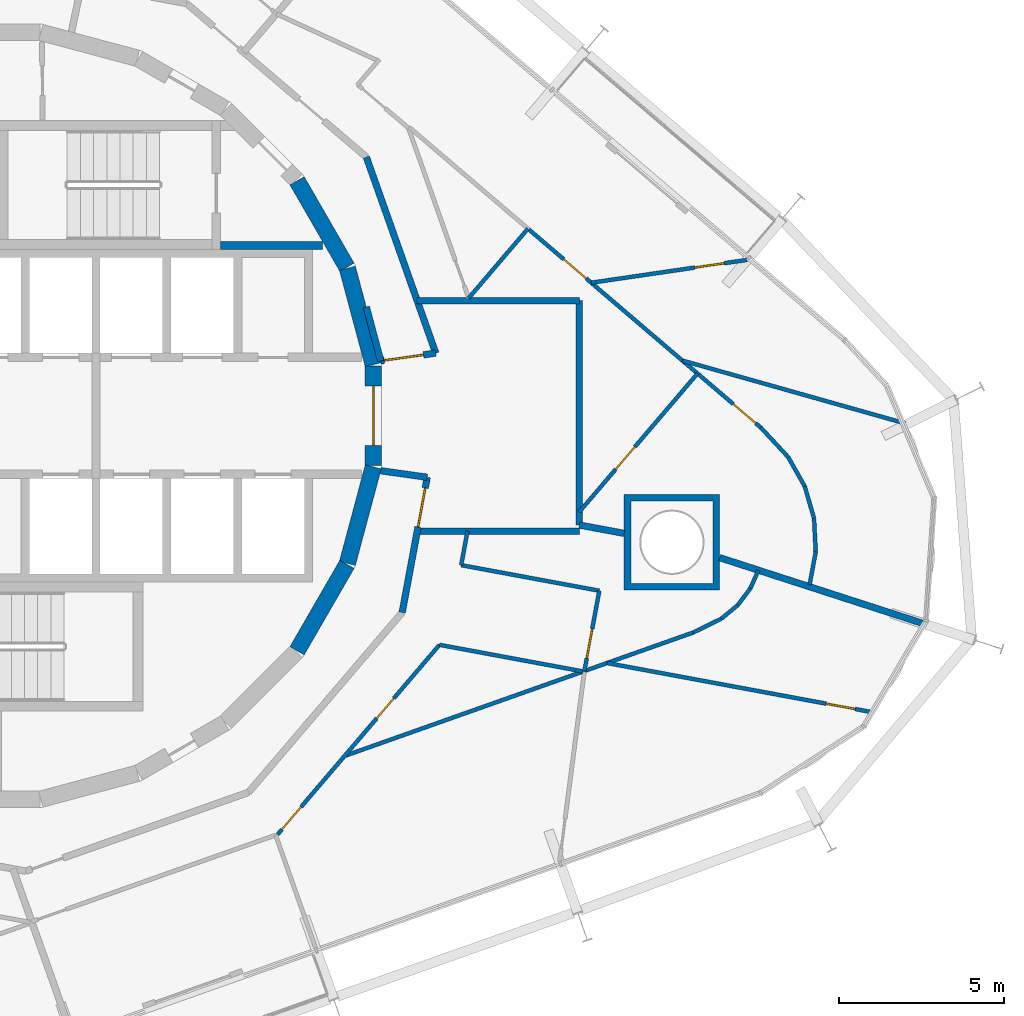
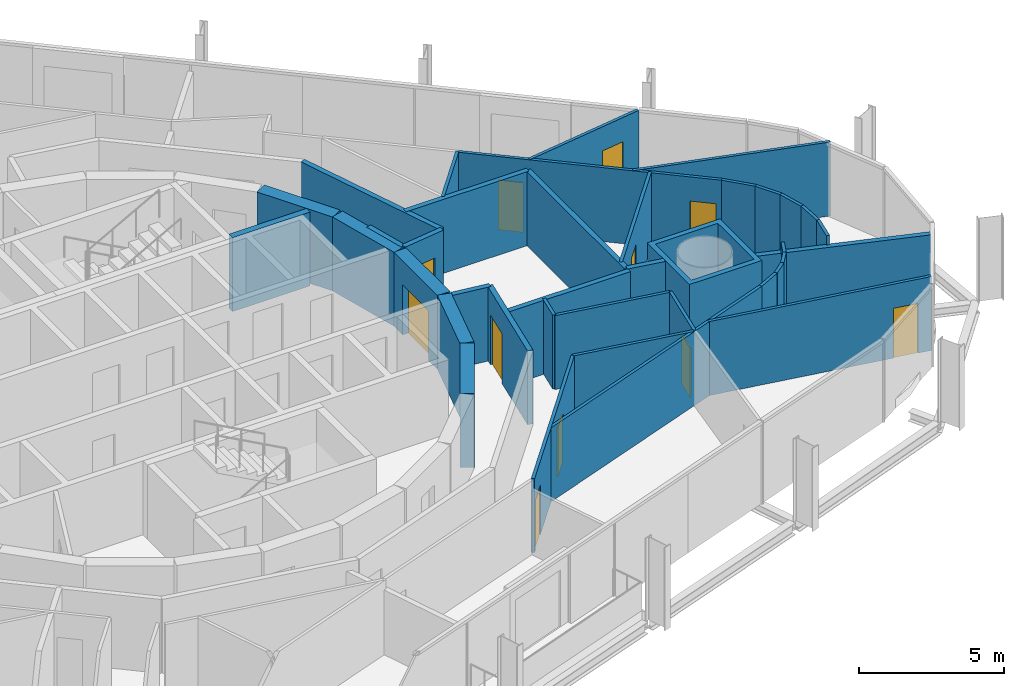
# One storey, part 13 of 17: 38 walls, 11 doors, 11 openings.
"""IFC4 building model written with IfcOpenShell, lengths in metres."""

from ifc_helpers import new_model, si_unit, direction, frame, frame_2d, origin, place, context, subcontext, project, spatial, polyline, rectangle, outline, extrude, material, layer, layer_set, type_object, element, fill, save


model = new_model("IFC4")

# Units and contexts
model_context = context("Model", 3, precision=1e-05, world=origin(), true_north=direction((0.0, 1.0)))
body_context = subcontext(model_context, "Body", "Model", "MODEL_VIEW")
ifc_project = project(units=[si_unit("LENGTHUNIT", "METRE"), si_unit("AREAUNIT", "SQUARE_METRE"), si_unit("VOLUMEUNIT", "CUBIC_METRE"), si_unit("PLANEANGLEUNIT", "RADIAN"), si_unit("MASSUNIT", "GRAM", prefix="KILO")], contexts=[model_context])

# Site, building, storey
site_placement = place(None, origin())
site = spatial("IfcSite", under=ifc_project, at=site_placement, CompositionType="ELEMENT")
building_placement = place(site_placement, origin())
building = spatial("IfcBuilding", under=site, at=building_placement, Name="Spindle Arch Residences", CompositionType="ELEMENT")
storey_placement = place(building_placement, frame((0.0, 0.0, 176.199951171875)))
storey = spatial("IfcBuildingStorey", under=building, at=storey_placement, Name="L44", CompositionType="ELEMENT", Elevation=176.199951171875)

# Walls
ifc_material_1 = material(Name="Concrete C50/60", Category="concrete")
ifc_layer_1 = layer(ifc_material_1, 0.5)
ifc_layer_set_1 = layer_set([ifc_layer_1], Name="Core outline wall 500")
wall_type_1 = type_object("IfcWallType", Name="Core outline wall 500", PredefinedType="SHEAR", material=ifc_layer_set_1)
for number, where, z_axis, x_axis, name in (
    (1, (9.32861328125, -7.13671875, 0.0), (0.0, 0.0, 1.0), (0.500087131594, 0.865975092491, 0.0), "Core outline wall 4"),
    (2, (10.858154296875, -4.479248046875, 0.0), (0.0, 0.0, 1.0), (0.258734743916, 0.965948410781, 0.0), "Core outline wall 5"),
):
    element("IfcWall", number, at=place(storey_placement, frame(where, z_axis=z_axis, x_axis=x_axis)), inside=storey, type_object=wall_type_1, Name=name, PredefinedType="SHEAR", context=body_context, shape_type="SweptSolid", body=[
        extrude(rectangle(XDim=3.03271484375, YDim=0.5, at=frame_2d((1.516357421875, 0.0))), origin(), (0.0, 0.0, 1.0), 3.1201171875),
    ])

# Wall, opening, door
wall_1_placement = place(storey_placement, frame((11.647216796875, -1.516357421875, 0.0), z_axis=(0.0, 0.0, 1.0), x_axis=(0.0, 1.0, 0.0)))
wall_1 = element("IfcWall", 3, at=wall_1_placement, inside=storey, type_object=wall_type_1, Name="Core outline wall 6", PredefinedType="SHEAR", context=body_context, shape_type="SweptSolid", body=[
    extrude(rectangle(XDim=3.03271484375, YDim=0.5, at=frame_2d((1.516357421875, 0.0))), origin(), (0.0, 0.0, 1.0), 3.1201171875),
])
opening_1_placement = place(wall_1_placement, frame((0.6162109375, 0.0, 0.0)))
opening_1 = element("IfcOpeningElement", 4, at=opening_1_placement, cuts=wall_1, Name="Opening R4C1-FE01", PredefinedType="OPENING", context=body_context, shape_type="SweptSolid", body=[
    extrude(rectangle(XDim=1.800048828125, YDim=2.10009765625, at=frame_2d((0.89990234375, 1.050048828125))), frame((0.0, 0.260009765625, 0.0), z_axis=(0.0, -1.0, 0.0), x_axis=(1.0, 0.0, 0.0)), (0.0, 0.0, 1.0), 0.52001953125),
])
ifc_material_2 = material(Name="Steel, fire-resisting door", Category="steel")
door_type_1 = type_object("IfcDoorType", Name="Fire-lift lobby door 1800x2100", OperationType="DOUBLE_DOOR_SINGLE_SWING", PredefinedType="DOOR", material=ifc_material_2)
door_1_placement = place(opening_1_placement, origin())
door_1 = element("IfcDoor", 5, at=door_1_placement, inside=storey, type_object=door_type_1, Name="Fire-lift lobby door R4C1-FE01", OperationType="DOUBLE_DOOR_SINGLE_SWING", OverallHeight=2.10009765625, OverallWidth=1.800048828125, PredefinedType="DOOR", context=body_context, shape_type="SweptSolid", body=[
    extrude(rectangle(XDim=1.800048828125, YDim=2.10009765625, at=frame_2d((0.89990234375, 1.050048828125))), frame((0.0, 0.02490234375, 0.0), z_axis=(0.0, -1.0, 0.0), x_axis=(1.0, 0.0, 0.0)), (0.0, 0.0, 1.0), 0.050048828125),
])
fill(opening_1, door_1)

# Walls
for number, where, z_axis, x_axis, name in (
    (6, (11.642822265625, 1.5498046875, 0.0), (0.0, 0.0, 1.0), (-0.258734743916, 0.965948410781, 0.0), "Core outline wall 7"),
    (7, (10.84521484375, 4.510498046875, 0.0), (0.0, 0.0, 1.0), (-0.500087131594, 0.865975092491, 0.0), "Core outline wall 8"),
):
    element("IfcWall", number, at=place(storey_placement, frame(where, z_axis=z_axis, x_axis=x_axis)), inside=storey, type_object=wall_type_1, Name=name, PredefinedType="SHEAR", context=body_context, shape_type="SweptSolid", body=[
        extrude(rectangle(XDim=3.03271484375, YDim=0.5, at=frame_2d((1.516357421875, 0.0))), origin(), (0.0, 0.0, 1.0), 3.1201171875),
    ])
ifc_material_3 = material(Name="Calcium silicate block, plastered")
ifc_layer_2 = layer(ifc_material_3, 0.199951171875)
ifc_layer_set_2 = layer_set([ifc_layer_2], Name="Fire-lift lobby bay wall 200")
wall_type_2 = type_object("IfcWallType", Name="Fire-lift lobby bay wall 200", PredefinedType="STANDARD", material=ifc_layer_set_2)
wall_2_placement = place(storey_placement, frame((11.8701171875, 1.668212890625, 0.0), z_axis=(0.0, 0.0, 1.0), x_axis=(-0.258836880648, 0.965921047093, 0.0)))
element("IfcWall", 8, at=wall_2_placement, inside=storey, type_object=wall_type_2, Name="Fire-lift lobby bay wall R4C1-W001", PredefinedType="STANDARD", context=body_context, shape_type="SweptSolid", body=[
    extrude(rectangle(XDim=1.695068359375, YDim=0.199951171875, at=frame_2d((0.84765625, 0.0))), origin(), (0.0, 0.0, 1.0), 3.1201171875),
])

# Wall, opening, door
wall_3_placement = place(storey_placement, frame((11.8701171875, 1.668212890625, 0.0), z_axis=(0.0, 0.0, 1.0), x_axis=(0.990270910415, 0.139152879904, 0.0)))
wall_3 = element("IfcWall", 9, at=wall_3_placement, inside=storey, type_object=wall_type_2, Name="Fire-lift lobby bay wall R4C1-W002", PredefinedType="STANDARD", context=body_context, shape_type="SweptSolid", body=[
    extrude(rectangle(XDim=1.687744140625, YDim=0.199951171875, at=frame_2d((0.84375, 0.0))), origin(), (0.0, 0.0, 1.0), 3.1201171875),
])
opening_2_placement = place(wall_3_placement, frame((0.110107421875, 0.0, 0.0)))
opening_2 = element("IfcOpeningElement", 10, at=opening_2_placement, cuts=wall_3, Name="Opening R4C1-CD01", PredefinedType="OPENING", context=body_context, shape_type="SweptSolid", body=[
    extrude(rectangle(XDim=1.199951171875, YDim=2.10009765625, at=frame_2d((0.60009765625, 1.050048828125))), frame((0.0, 0.10986328125, 0.0), z_axis=(0.0, -1.0, 0.0), x_axis=(1.0, 0.0, 0.0)), (0.0, 0.0, 1.0), 0.219970703125),
])
ifc_material_4 = material(Name="Steel, fire-resisting door", Category="steel")
door_type_2 = type_object("IfcDoorType", Name="Corridor division door 1200x2100", OperationType="NOTDEFINED", PredefinedType="DOOR", material=ifc_material_4)
door_2_placement = place(opening_2_placement, origin())
door_2 = element("IfcDoor", 11, at=door_2_placement, inside=storey, type_object=door_type_2, Name="Corridor division door R4C1-CD01", OperationType="DOUBLE_DOOR_SINGLE_SWING", OverallHeight=2.10009765625, OverallWidth=1.199951171875, PredefinedType="DOOR", context=body_context, shape_type="SweptSolid", body=[
    extrude(rectangle(XDim=1.199951171875, YDim=2.10009765625, at=frame_2d((0.60009765625, 1.050048828125))), frame((0.0, 0.02490234375, 0.0), z_axis=(0.0, -1.0, 0.0), x_axis=(1.0, 0.0, 0.0)), (0.0, 0.0, 1.0), 0.050048828125),
])
fill(opening_2, door_2)

# Wall
wall_4_placement = place(storey_placement, frame((13.54150390625, 1.903076171875, 0.0), z_axis=(0.0, 0.0, 1.0), x_axis=(-0.333808508206, 0.942640907159, 0.0)))
element("IfcWall", 12, at=wall_4_placement, inside=storey, type_object=wall_type_2, Name="Fire-lift lobby bay wall R4C1-W003", PredefinedType="STANDARD", context=body_context, shape_type="SweptSolid", body=[
    extrude(rectangle(XDim=6.31689453125, YDim=0.199951171875, at=frame_2d((3.158447265625, 0.0))), origin(), (0.0, 0.0, 1.0), 3.1201171875),
])

# Wall, opening, door
wall_5_placement = place(storey_placement, frame((12.521240234375, -5.972412109375, 0.0), z_axis=(0.0, 0.0, 1.0), x_axis=(0.182244189886, 0.983253301674, 0.0)))
wall_5 = element("IfcWall", 13, at=wall_5_placement, inside=storey, type_object=wall_type_2, Name="Fire-lift lobby bay wall R4C1-W012", PredefinedType="STANDARD", context=body_context, shape_type="SweptSolid", body=[
    extrude(rectangle(XDim=4.175537109375, YDim=0.199951171875, at=frame_2d((2.087890625, 0.0))), origin(), (0.0, 0.0, 1.0), 3.1201171875),
])
opening_3_placement = place(wall_5_placement, frame((2.64453125, 0.0, 0.0)))
opening_3 = element("IfcOpeningElement", 14, at=opening_3_placement, cuts=wall_5, Name="Opening R4C1-CD02", PredefinedType="OPENING", context=body_context, shape_type="SweptSolid", body=[
    extrude(rectangle(XDim=1.199951171875, YDim=2.10009765625, at=frame_2d((0.60009765625, 1.050048828125))), frame((0.0, 0.10986328125, 0.0), z_axis=(0.0, -1.0, 0.0), x_axis=(1.0, 0.0, 0.0)), (0.0, 0.0, 1.0), 0.219970703125),
])
door_3_placement = place(opening_3_placement, origin())
door_3 = element("IfcDoor", 15, at=door_3_placement, inside=storey, type_object=door_type_2, Name="Corridor division door R4C1-CD02", OperationType="DOUBLE_DOOR_SINGLE_SWING", OverallHeight=2.10009765625, OverallWidth=1.199951171875, PredefinedType="DOOR", context=body_context, shape_type="SweptSolid", body=[
    extrude(rectangle(XDim=1.199951171875, YDim=2.10009765625, at=frame_2d((0.60009765625, 1.050048828125))), frame((0.0, 0.02490234375, 0.0), z_axis=(0.0, -1.0, 0.0), x_axis=(1.0, 0.0, 0.0)), (0.0, 0.0, 1.0), 0.050048828125),
])
fill(opening_3, door_3)

# Walls
wall_6_placement = place(storey_placement, frame((13.2822265625, -1.86669921875, 0.0), z_axis=(0.0, 0.0, 1.0), x_axis=(-0.990265430288, 0.139191873241, 0.0)))
element("IfcWall", 16, at=wall_6_placement, inside=storey, type_object=wall_type_2, Name="Fire-lift lobby bay wall R4C1-W013", PredefinedType="STANDARD", context=body_context, shape_type="SweptSolid", body=[
    extrude(rectangle(XDim=1.426025390625, YDim=0.199951171875, at=frame_2d((0.712890625, 0.0))), origin(), (0.0, 0.0, 1.0), 3.1201171875),
])
wall_7_placement = place(storey_placement, frame((17.89990234375, 3.5, 0.0), z_axis=(0.0, 0.0, 1.0), x_axis=(-1.0, 0.0, 0.0)))
element("IfcWall", 17, at=wall_7_placement, inside=storey, type_object=wall_type_2, Name="Fire-lift lobby bay wall R4C1-W023", PredefinedType="STANDARD", context=body_context, shape_type="SweptSolid", body=[
    extrude(rectangle(XDim=4.923828125, YDim=0.199951171875, at=frame_2d((2.4619140625, 0.0))), origin(), (0.0, 0.0, 1.0), 3.1201171875),
])
wall_8_placement = place(storey_placement, frame((17.89990234375, -3.317626953125, 0.0), z_axis=(0.0, 0.0, 1.0), x_axis=(0.0, 1.0, 0.0)))
element("IfcWall", 18, at=wall_8_placement, inside=storey, type_object=wall_type_2, Name="Fire-lift lobby bay wall R4C1-W024", PredefinedType="STANDARD", context=body_context, shape_type="SweptSolid", body=[
    extrude(rectangle(XDim=6.817626953125, YDim=0.199951171875, at=frame_2d((3.40869140625, 0.0))), origin(), (0.0, 0.0, 1.0), 3.1201171875),
])
wall_9_placement = place(storey_placement, frame((12.9794921875, -3.5, 0.0), z_axis=(0.0, 0.0, 1.0), x_axis=(1.0, 0.0, 0.0)))
element("IfcWall", 19, at=wall_9_placement, inside=storey, type_object=wall_type_2, Name="Fire-lift lobby bay wall R4C1-W025", PredefinedType="STANDARD", context=body_context, shape_type="SweptSolid", body=[
    extrude(rectangle(XDim=4.92041015625, YDim=0.199951171875, at=frame_2d((2.460205078125, 0.0))), origin(), (0.0, 0.0, 1.0), 3.1201171875),
])

# Wall, openings, doors
ifc_material_5 = material(Name="Plasterboard on steel studs", Category="steel")
ifc_layer_3 = layer(ifc_material_5, 0.1201171875)
ifc_layer_set_3 = layer_set([ifc_layer_3], Name="Flat partition 120")
wall_type_3 = type_object("IfcWallType", Name="Flat partition 120", PredefinedType="PARTITIONING", material=ifc_layer_set_3)
wall_10_placement = place(storey_placement, frame((23.411376953125, -0.35693359375, 0.0), z_axis=(0.0, 0.0, 1.0), x_axis=(-0.76041871148, 0.649433124525, 0.0)))
wall_10 = element("IfcWall", 20, at=wall_10_placement, inside=storey, type_object=wall_type_3, Name="Flat partition R4C1-W042", PredefinedType="PARTITIONING", context=body_context, shape_type="SweptSolid", body=[
    extrude(rectangle(XDim=9.2587890625, YDim=0.1201171875, at=frame_2d((4.62939453125, 0.0))), origin(), (0.0, 0.0, 1.0), 3.1201171875),
])
opening_4_placement = place(wall_10_placement, frame((6.971923828125, 0.0, 0.0)))
opening_4 = element("IfcOpeningElement", 21, at=opening_4_placement, cuts=wall_10, Name="Opening R4C1-ID02", PredefinedType="OPENING", context=body_context, shape_type="SweptSolid", body=[
    extrude(rectangle(XDim=0.89990234375, YDim=2.10009765625, at=frame_2d((0.449951171875, 1.050048828125))), frame((0.0, 0.070068359375, 0.0), z_axis=(0.0, -1.0, 0.0), x_axis=(1.0, 0.0, 0.0)), (0.0, 0.0, 1.0), 0.14013671875),
])
opening_5_placement = place(wall_10_placement, frame((0.199951171875, 0.0, 0.0)))
opening_5 = element("IfcOpeningElement", 22, at=opening_5_placement, cuts=wall_10, Name="Opening R4C1-ID05", PredefinedType="OPENING", context=body_context, shape_type="SweptSolid", body=[
    extrude(rectangle(XDim=0.89990234375, YDim=2.10009765625, at=frame_2d((0.449951171875, 1.050048828125))), frame((0.0, 0.070068359375, 0.0), z_axis=(0.0, -1.0, 0.0), x_axis=(1.0, 0.0, 0.0)), (0.0, 0.0, 1.0), 0.14013671875),
])
ifc_material_6 = material(Name="Timber door set", Category="wood")
door_type_3 = type_object("IfcDoorType", Name="Room door 900x2100", OperationType="NOTDEFINED", PredefinedType="DOOR", material=ifc_material_6)
door_4_placement = place(opening_4_placement, origin())
door_4 = element("IfcDoor", 23, at=door_4_placement, inside=storey, type_object=door_type_3, Name="Room door R4C1-ID02", OperationType="SINGLE_SWING_RIGHT", OverallHeight=2.10009765625, OverallWidth=0.89990234375, PredefinedType="DOOR", context=body_context, shape_type="SweptSolid", body=[
    extrude(rectangle(XDim=0.89990234375, YDim=2.10009765625, at=frame_2d((0.449951171875, 1.050048828125))), frame((0.0, 0.02490234375, 0.0), z_axis=(0.0, -1.0, 0.0), x_axis=(1.0, 0.0, 0.0)), (0.0, 0.0, 1.0), 0.050048828125),
])
fill(opening_4, door_4)
door_5_placement = place(opening_5_placement, origin())
door_5 = element("IfcDoor", 24, at=door_5_placement, inside=storey, type_object=door_type_3, Name="Room door R4C1-ID05", OperationType="SINGLE_SWING_LEFT", OverallHeight=2.10009765625, OverallWidth=0.89990234375, PredefinedType="DOOR", context=body_context, shape_type="SweptSolid", body=[
    extrude(rectangle(XDim=0.89990234375, YDim=2.10009765625, at=frame_2d((0.449951171875, 1.050048828125))), frame((0.0, 0.02490234375, 0.0), z_axis=(0.0, -1.0, 0.0), x_axis=(1.0, 0.0, 0.0)), (0.0, 0.0, 1.0), 0.050048828125),
])
fill(opening_5, door_5)

# Wall
wall_11_placement = place(storey_placement, frame((16.340576171875, 5.681884765625, 0.0), z_axis=(0.0, 0.0, 1.0), x_axis=(-0.64946993237, -0.76038727432, 0.0)))
element("IfcWall", 25, at=wall_11_placement, inside=storey, type_object=wall_type_3, Name="Flat partition R4C1-W043", PredefinedType="PARTITIONING", context=body_context, shape_type="SweptSolid", body=[
    extrude(rectangle(XDim=2.771240234375, YDim=0.1201171875, at=frame_2d((1.3857421875, 0.0))), origin(), (0.0, 0.0, 1.0), 3.1201171875),
])

# Wall, opening, door
wall_12_placement = place(storey_placement, frame((17.89990234375, -2.91845703125, 0.0), z_axis=(0.0, 0.0, 1.0), x_axis=(0.649469887983, 0.760387312232, 0.0)))
wall_12 = element("IfcWall", 26, at=wall_12_placement, inside=storey, type_object=wall_type_3, Name="Flat partition R4C1-W044", PredefinedType="PARTITIONING", context=body_context, shape_type="SweptSolid", body=[
    extrude(rectangle(XDim=5.52685546875, YDim=0.1201171875, at=frame_2d((2.763427734375, 0.0))), origin(), (0.0, 0.0, 1.0), 3.1201171875),
])
opening_6_placement = place(wall_12_placement, frame((1.699951171875, 0.0, 0.0)))
opening_6 = element("IfcOpeningElement", 27, at=opening_6_placement, cuts=wall_12, Name="Opening R4C1-ID04", PredefinedType="OPENING", context=body_context, shape_type="SweptSolid", body=[
    extrude(rectangle(XDim=0.89990234375, YDim=2.10009765625, at=frame_2d((0.449951171875, 1.050048828125))), frame((0.0, 0.070068359375, 0.0), z_axis=(0.0, -1.0, 0.0), x_axis=(1.0, 0.0, 0.0)), (0.0, 0.0, 1.0), 0.14013671875),
])
door_6_placement = place(opening_6_placement, origin())
door_6 = element("IfcDoor", 28, at=door_6_placement, inside=storey, type_object=door_type_3, Name="Room door R4C1-ID04", OperationType="SINGLE_SWING_LEFT", OverallHeight=2.10009765625, OverallWidth=0.89990234375, PredefinedType="DOOR", context=body_context, shape_type="SweptSolid", body=[
    extrude(rectangle(XDim=0.89990234375, YDim=2.10009765625, at=frame_2d((0.449951171875, 1.050048828125))), frame((0.0, 0.02490234375, 0.0), z_axis=(0.0, -1.0, 0.0), x_axis=(1.0, 0.0, 0.0)), (0.0, 0.0, 1.0), 0.050048828125),
])
fill(opening_6, door_6)

wall_13_placement = place(storey_placement, frame((22.99365234375, 4.73388671875, 0.0), z_axis=(0.0, 0.0, 1.0), x_axis=(-0.989449286977, -0.144879634529, 0.0)))
wall_13 = element("IfcWall", 29, at=wall_13_placement, inside=storey, type_object=wall_type_3, Name="Flat partition R4C1-W045", PredefinedType="PARTITIONING", context=body_context, shape_type="SweptSolid", body=[
    extrude(rectangle(XDim=4.782470703125, YDim=0.1201171875, at=frame_2d((2.39111328125, 0.0))), origin(), (0.0, 0.0, 1.0), 3.1201171875),
])
opening_7_placement = place(wall_13_placement, frame((0.699951171875, 0.0, 0.0)))
opening_7 = element("IfcOpeningElement", 30, at=opening_7_placement, cuts=wall_13, Name="Opening R4C1-ID03", PredefinedType="OPENING", context=body_context, shape_type="SweptSolid", body=[
    extrude(rectangle(XDim=0.89990234375, YDim=2.10009765625, at=frame_2d((0.449951171875, 1.050048828125))), frame((0.0, 0.070068359375, 0.0), z_axis=(0.0, -1.0, 0.0), x_axis=(1.0, 0.0, 0.0)), (0.0, 0.0, 1.0), 0.14013671875),
])
door_7_placement = place(opening_7_placement, origin())
door_7 = element("IfcDoor", 31, at=door_7_placement, inside=storey, type_object=door_type_3, Name="Room door R4C1-ID03", OperationType="SINGLE_SWING_LEFT", OverallHeight=2.10009765625, OverallWidth=0.89990234375, PredefinedType="DOOR", context=body_context, shape_type="SweptSolid", body=[
    extrude(rectangle(XDim=0.89990234375, YDim=2.10009765625, at=frame_2d((0.449951171875, 1.050048828125))), frame((0.0, 0.02490234375, 0.0), z_axis=(0.0, -1.0, 0.0), x_axis=(1.0, 0.0, 0.0)), (0.0, 0.0, 1.0), 0.050048828125),
])
fill(opening_7, door_7)

# Walls
wall_14_placement = place(storey_placement, frame((21.029052734375, 1.677490234375, 0.0), z_axis=(0.0, 0.0, 1.0), x_axis=(0.962458274539, -0.271429677396, 0.0)))
element("IfcWall", 32, at=wall_14_placement, inside=storey, type_object=wall_type_3, Name="Flat partition R4C1-W046", PredefinedType="PARTITIONING", context=body_context, shape_type="SweptSolid", body=[
    extrude(rectangle(XDim=7.037353515625, YDim=0.1201171875, at=frame_2d((3.5185546875, 0.0))), origin(), (0.0, 0.0, 1.0), 3.1201171875),
])
for number, where, z_axis, x_axis, name in (
    (33, (24.893798828125, -5.130615234375, 0.0), (0.0, 0.0, 1.0), (0.182140887528, 0.983272442963, 0.0), "Flat partition R4C1-W047"),
    (34, (25.078857421875, -4.131591796875, 0.0), (0.0, 0.0, 1.0), (-0.049494233422, 0.998774409393, 0.0), "Flat partition R4C1-W048"),
):
    element("IfcWall", number, at=place(storey_placement, frame(where, z_axis=z_axis, x_axis=x_axis)), inside=storey, type_object=wall_type_3, Name=name, PredefinedType="PARTITIONING", context=body_context, shape_type="SweptSolid", body=[
        extrude(rectangle(XDim=1.01611328125, YDim=0.1201171875, at=frame_2d((0.508056640625, 0.0))), origin(), (0.0, 0.0, 1.0), 3.1201171875),
    ])
for number, where, z_axis, x_axis, name in (
    (35, (25.028564453125, -3.11669921875, 0.0), (0.0, 0.0, 1.0), (-0.278559922069, 0.96041885124, 0.0), "Flat partition R4C1-W049"),
    (36, (24.74560546875, -2.14111328125, 0.0), (0.0, 0.0, 1.0), (-0.492199796518, 0.870482257319, 0.0), "Flat partition R4C1-W050"),
):
    element("IfcWall", number, at=place(storey_placement, frame(where, z_axis=z_axis, x_axis=x_axis)), inside=storey, type_object=wall_type_3, Name=name, PredefinedType="PARTITIONING", context=body_context, shape_type="SweptSolid", body=[
        extrude(rectangle(XDim=1.015869140625, YDim=0.1201171875, at=frame_2d((0.5078125, 0.0))), origin(), (0.0, 0.0, 1.0), 3.1201171875),
    ])
wall_15_placement = place(storey_placement, frame((24.24560546875, -1.2568359375, 0.0), z_axis=(0.0, 0.0, 1.0), x_axis=(-0.679840361176, 0.733360132074, 0.0)))
element("IfcWall", 37, at=wall_15_placement, inside=storey, type_object=wall_type_3, Name="Flat partition R4C1-W051", PredefinedType="PARTITIONING", context=body_context, shape_type="SweptSolid", body=[
    extrude(rectangle(XDim=1.22705078125, YDim=0.1201171875, at=frame_2d((0.613525390625, 0.0))), origin(), (0.0, 0.0, 1.0), 3.1201171875),
])

# Wall, openings, doors
wall_16_placement = place(storey_placement, frame((8.7373046875, -12.712646484375, 0.0), z_axis=(0.0, 0.0, 1.0), x_axis=(0.649427973074, 0.760423111031, 0.0)))
wall_16 = element("IfcWall", 38, at=wall_16_placement, inside=storey, type_object=wall_type_3, Name="Flat partition R4C1-W110", PredefinedType="PARTITIONING", context=body_context, shape_type="SweptSolid", body=[
    extrude(rectangle(XDim=7.57080078125, YDim=0.1201171875, at=frame_2d((3.785400390625, 0.0))), origin(), (0.0, 0.0, 1.0), 3.1201171875),
])
opening_8_placement = place(wall_16_placement, frame((0.199951171875, 0.0, 0.0)))
opening_8 = element("IfcOpeningElement", 39, at=opening_8_placement, cuts=wall_16, Name="Opening R4C1-ID28", PredefinedType="OPENING", context=body_context, shape_type="SweptSolid", body=[
    extrude(rectangle(XDim=0.89990234375, YDim=2.10009765625, at=frame_2d((0.449951171875, 1.050048828125))), frame((0.0, 0.070068359375, 0.0), z_axis=(0.0, -1.0, 0.0), x_axis=(1.0, 0.0, 0.0)), (0.0, 0.0, 1.0), 0.14013671875),
])
opening_9_placement = place(wall_16_placement, frame((4.63427734375, 0.0, 0.0)))
opening_9 = element("IfcOpeningElement", 40, at=opening_9_placement, cuts=wall_16, Name="Opening R4C1-BD06", PredefinedType="OPENING", context=body_context, shape_type="SweptSolid", body=[
    extrude(rectangle(XDim=0.800048828125, YDim=2.10009765625, at=frame_2d((0.39990234375, 1.050048828125))), frame((0.0, 0.070068359375, 0.0), z_axis=(0.0, -1.0, 0.0), x_axis=(1.0, 0.0, 0.0)), (0.0, 0.0, 1.0), 0.14013671875),
])
ifc_material_7 = material(Name="Timber door set", Category="wood")
door_type_4 = type_object("IfcDoorType", Name="Bathroom door 800x2100", OperationType="NOTDEFINED", PredefinedType="DOOR", material=ifc_material_7)
door_8_placement = place(opening_9_placement, origin())
door_8 = element("IfcDoor", 41, at=door_8_placement, inside=storey, type_object=door_type_4, Name="Bathroom door R4C1-BD06", OperationType="SINGLE_SWING_RIGHT", OverallHeight=2.10009765625, OverallWidth=0.800048828125, PredefinedType="DOOR", context=body_context, shape_type="SweptSolid", body=[
    extrude(rectangle(XDim=0.800048828125, YDim=2.10009765625, at=frame_2d((0.39990234375, 1.050048828125))), frame((0.0, 0.02490234375, 0.0), z_axis=(0.0, -1.0, 0.0), x_axis=(1.0, 0.0, 0.0)), (0.0, 0.0, 1.0), 0.050048828125),
])
fill(opening_9, door_8)
door_9_placement = place(opening_8_placement, origin())
door_9 = element("IfcDoor", 42, at=door_9_placement, inside=storey, type_object=door_type_3, Name="Room door R4C1-ID28", OperationType="SINGLE_SWING_RIGHT", OverallHeight=2.10009765625, OverallWidth=0.89990234375, PredefinedType="DOOR", context=body_context, shape_type="SweptSolid", body=[
    extrude(rectangle(XDim=0.89990234375, YDim=2.10009765625, at=frame_2d((0.449951171875, 1.050048828125))), frame((0.0, 0.02490234375, 0.0), z_axis=(0.0, -1.0, 0.0), x_axis=(1.0, 0.0, 0.0)), (0.0, 0.0, 1.0), 0.050048828125),
])
fill(opening_8, door_9)

# Wall
wall_17_placement = place(storey_placement, frame((13.654052734375, -6.95556640625, 0.0), z_axis=(0.0, 0.0, 1.0), x_axis=(0.983253166233, -0.18224492062, 0.0)))
element("IfcWall", 43, at=wall_17_placement, inside=storey, type_object=wall_type_3, Name="Flat partition R4C1-W111", PredefinedType="PARTITIONING", context=body_context, shape_type="SweptSolid", body=[
    extrude(rectangle(XDim=4.436767578125, YDim=0.1201171875, at=frame_2d((2.21826171875, 0.0))), origin(), (0.0, 0.0, 1.0), 3.1201171875),
])

# Wall, opening, door
wall_18_placement = place(storey_placement, frame((18.055419921875, -7.75048828125, 0.0), z_axis=(0.0, 0.0, 1.0), x_axis=(0.18225497314, 0.983251302957, 0.0)))
wall_18 = element("IfcWall", 44, at=wall_18_placement, inside=storey, type_object=wall_type_3, Name="Flat partition R4C1-W112", PredefinedType="PARTITIONING", context=body_context, shape_type="SweptSolid", body=[
    extrude(rectangle(XDim=2.4794921875, YDim=0.1201171875, at=frame_2d((1.23974609375, 0.0))), origin(), (0.0, 0.0, 1.0), 3.1201171875),
])
opening_10_placement = place(wall_18_placement, frame((0.39990234375, 0.0, 0.0)))
opening_10 = element("IfcOpeningElement", 45, at=opening_10_placement, cuts=wall_18, Name="Opening R4C1-ID29", PredefinedType="OPENING", context=body_context, shape_type="SweptSolid", body=[
    extrude(rectangle(XDim=0.89990234375, YDim=2.10009765625, at=frame_2d((0.449951171875, 1.050048828125))), frame((0.0, 0.070068359375, 0.0), z_axis=(0.0, -1.0, 0.0), x_axis=(1.0, 0.0, 0.0)), (0.0, 0.0, 1.0), 0.14013671875),
])
door_10_placement = place(opening_10_placement, origin())
door_10 = element("IfcDoor", 46, at=door_10_placement, inside=storey, type_object=door_type_3, Name="Room door R4C1-ID29", OperationType="SINGLE_SWING_RIGHT", OverallHeight=2.10009765625, OverallWidth=0.89990234375, PredefinedType="DOOR", context=body_context, shape_type="SweptSolid", body=[
    extrude(rectangle(XDim=0.89990234375, YDim=2.10009765625, at=frame_2d((0.449951171875, 1.050048828125))), frame((0.0, 0.02490234375, 0.0), z_axis=(0.0, -1.0, 0.0), x_axis=(1.0, 0.0, 0.0)), (0.0, 0.0, 1.0), 0.050048828125),
])
fill(opening_10, door_10)

# Walls
wall_19_placement = place(storey_placement, frame((18.50732421875, -5.3125, 0.0), z_axis=(0.0, 0.0, 1.0), x_axis=(-0.983254286603, 0.182238875868, 0.0)))
element("IfcWall", 47, at=wall_19_placement, inside=storey, type_object=wall_type_3, Name="Flat partition R4C1-W113", PredefinedType="PARTITIONING", context=body_context, shape_type="SweptSolid", body=[
    extrude(rectangle(XDim=4.265625, YDim=0.1201171875, at=frame_2d((2.1328125, 0.0))), origin(), (0.0, 0.0, 1.0), 3.1201171875),
])
wall_20_placement = place(storey_placement, frame((14.313232421875, -4.53515625, 0.0), z_axis=(0.0, 0.0, 1.0), x_axis=(0.182271946033, 0.983248156718, 0.0)))
element("IfcWall", 48, at=wall_20_placement, inside=storey, type_object=wall_type_3, Name="Flat partition R4C1-W114", PredefinedType="PARTITIONING", context=body_context, shape_type="SweptSolid", body=[
    extrude(rectangle(XDim=1.052734375, YDim=0.1201171875, at=frame_2d((0.5263671875, 0.0))), origin(), (0.0, 0.0, 1.0), 3.1201171875),
])
wall_21_placement = place(storey_placement, frame((21.3623046875, -6.57958984375, 0.0), z_axis=(0.0, 0.0, 1.0), x_axis=(-0.942647598157, -0.333789612913, 0.0)))
element("IfcWall", 49, at=wall_21_placement, inside=storey, type_object=wall_type_3, Name="Flat partition R4C1-W116", PredefinedType="PARTITIONING", context=body_context, shape_type="SweptSolid", body=[
    extrude(rectangle(XDim=11.23388671875, YDim=0.1201171875, at=frame_2d((5.616943359375, 0.0))), origin(), (0.0, 0.0, 1.0), 3.1201171875),
])

# Wall, opening, door
wall_22_placement = place(storey_placement, frame((26.774169921875, -8.99658203125, 0.0), z_axis=(0.0, 0.0, 1.0), x_axis=(-0.983258019748, 0.18221873285, 0.0)))
wall_22 = element("IfcWall", 50, at=wall_22_placement, inside=storey, type_object=wall_type_3, Name="Flat partition R4C1-W118", PredefinedType="PARTITIONING", context=body_context, shape_type="SweptSolid", body=[
    extrude(rectangle(XDim=8.170166015625, YDim=0.1201171875, at=frame_2d((4.0849609375, 0.0))), origin(), (0.0, 0.0, 1.0), 3.1201171875),
])
opening_11_placement = place(wall_22_placement, frame((0.5, 0.0, 0.0)))
opening_11 = element("IfcOpeningElement", 51, at=opening_11_placement, cuts=wall_22, Name="Opening R4C1-ID31", PredefinedType="OPENING", context=body_context, shape_type="SweptSolid", body=[
    extrude(rectangle(XDim=0.89990234375, YDim=2.10009765625, at=frame_2d((0.449951171875, 1.050048828125))), frame((0.0, 0.070068359375, 0.0), z_axis=(0.0, -1.0, 0.0), x_axis=(1.0, 0.0, 0.0)), (0.0, 0.0, 1.0), 0.14013671875),
])
door_11_placement = place(opening_11_placement, origin())
door_11 = element("IfcDoor", 52, at=door_11_placement, inside=storey, type_object=door_type_3, Name="Room door R4C1-ID31", OperationType="SINGLE_SWING_RIGHT", OverallHeight=2.10009765625, OverallWidth=0.89990234375, PredefinedType="DOOR", context=body_context, shape_type="SweptSolid", body=[
    extrude(rectangle(XDim=0.89990234375, YDim=2.10009765625, at=frame_2d((0.449951171875, 1.050048828125))), frame((0.0, 0.02490234375, 0.0), z_axis=(0.0, -1.0, 0.0), x_axis=(1.0, 0.0, 0.0)), (0.0, 0.0, 1.0), 0.050048828125),
])
fill(opening_11, door_11)

# Walls
wall_23_placement = place(storey_placement, frame((23.339599609375, -4.68896484375, 0.0), z_axis=(0.0, 0.0, 1.0), x_axis=(-0.404077449371, -0.914724775498, 0.0)))
element("IfcWall", 53, at=wall_23_placement, inside=storey, type_object=wall_type_3, Name="Flat partition R4C1-W119", PredefinedType="PARTITIONING", context=body_context, shape_type="SweptSolid", body=[
    extrude(rectangle(XDim=0.604736328125, YDim=0.1201171875, at=frame_2d((0.30224609375, 0.0))), origin(), (0.0, 0.0, 1.0), 3.1201171875),
])
for number, where, z_axis, x_axis, name in (
    (54, (23.09521484375, -5.2421875, 0.0), (0.0, 0.0, 1.0), (-0.60407005845, -0.796931216909, 0.0), "Flat partition R4C1-W120"),
    (55, (22.70751953125, -5.753662109375, 0.0), (0.0, 0.0, 1.0), (-0.771732572541, -0.635947196298, 0.0), "Flat partition R4C1-W121"),
):
    element("IfcWall", number, at=place(storey_placement, frame(where, z_axis=z_axis, x_axis=x_axis)), inside=storey, type_object=wall_type_3, Name=name, PredefinedType="PARTITIONING", context=body_context, shape_type="SweptSolid", body=[
        extrude(rectangle(XDim=0.641845703125, YDim=0.1201171875, at=frame_2d((0.32080078125, 0.0))), origin(), (0.0, 0.0, 1.0), 3.1201171875),
    ])
wall_24_placement = place(storey_placement, frame((22.212158203125, -6.161865234375, 0.0), z_axis=(0.0, 0.0, 1.0), x_axis=(-0.897448694974, -0.441118850072, 0.0)))
element("IfcWall", 56, at=wall_24_placement, inside=storey, type_object=wall_type_3, Name="Flat partition R4C1-W122", PredefinedType="PARTITIONING", context=body_context, shape_type="SweptSolid", body=[
    extrude(rectangle(XDim=0.947021484375, YDim=0.1201171875, at=frame_2d((0.4736328125, 0.0))), origin(), (0.0, 0.0, 1.0), 3.1201171875),
])
ifc_material_8 = material(Name="Calcium silicate block, plastered")
ifc_layer_4 = layer(ifc_material_8, 0.199951171875)
ifc_layer_set_4 = layer_set([ifc_layer_4], Name="Flat party wall 200")
wall_type_4 = type_object("IfcWallType", Name="Flat party wall 200", PredefinedType="STANDARD", material=ifc_layer_set_4)
wall_25_placement = place(storey_placement, frame((17.89990234375, -3.317626953125, 0.0), z_axis=(0.0, 0.0, 1.0), x_axis=(0.983252800712, -0.182246892682, 0.0)))
element("IfcWall", 57, at=wall_25_placement, inside=storey, type_object=wall_type_4, Name="Flat party wall R4C1-W028", PredefinedType="STANDARD", context=body_context, shape_type="SweptSolid", body=[
    extrude(rectangle(XDim=1.386474609375, YDim=0.199951171875, at=frame_2d((0.693359375, 0.0))), origin(), (0.0, 0.0, 1.0), 3.1201171875),
])
ifc_material_9 = material(Name="Calcium silicate block, plastered")
ifc_layer_5 = layer(ifc_material_9, 0.199951171875)
ifc_layer_set_5 = layer_set([ifc_layer_5], Name="Flat party wall 200 under beam 2730")
wall_type_5 = type_object("IfcWallType", Name="Flat party wall 200 under beam 2730", PredefinedType="STANDARD", material=ifc_layer_set_5)
wall_26_placement = place(storey_placement, frame((22.1630859375, -4.30810546875, 0.0), z_axis=(0.0, 0.0, 1.0), x_axis=(0.951422718769, -0.307887658426, 0.0)))
element("IfcWall", 58, at=wall_26_placement, inside=storey, type_object=wall_type_5, Name="Flat party wall R4C1-W027", PredefinedType="STANDARD", context=body_context, shape_type="SweptSolid", body=[
    extrude(rectangle(XDim=6.464111328125, YDim=0.199951171875, at=frame_2d((3.23193359375, 0.0))), origin(), (0.0, 0.0, 1.0), 2.72998046875),
])
ifc_material_10 = material(Name="Calcium silicate block, plastered")
ifc_layer_6 = layer(ifc_material_10, 0.199951171875)
ifc_layer_set_6 = layer_set([ifc_layer_6], Name="Mega-column casing wall 200")
wall_type_6 = type_object("IfcWallType", Name="Mega-column casing wall 200", PredefinedType="STANDARD", material=ifc_layer_set_6)
wall_27_placement = place(storey_placement, origin())
element("IfcWall", 59, at=wall_27_placement, inside=storey, type_object=wall_type_6, Name="Mega-column casing wall R4C1-WC03", PredefinedType="STANDARD", context=body_context, shape_type="SweptSolid", body=[
    extrude(outline(polyline([(22.1630859375, -2.388916015625), (22.1630859375, -5.2890625), (19.26318359375, -5.2890625), (19.26318359375, -2.388916015625), (22.1630859375, -2.388916015625)]), holes=[polyline([(19.463134765625, -5.089111328125), (21.963134765625, -5.089111328125), (21.963134765625, -2.589111328125), (19.463134765625, -2.589111328125), (19.463134765625, -5.089111328125)])]), origin(), (0.0, 0.0, 1.0), 3.1201171875),
])
ifc_material_11 = material(Name="Concrete C40/50", Category="concrete")
ifc_layer_7 = layer(ifc_material_11, 0.25)
ifc_layer_set_7 = layer_set([ifc_layer_7], Name="Stair airlock wall 250")
wall_type_7 = type_object("IfcWallType", Name="Stair airlock wall 250", PredefinedType="SHEAR", material=ifc_layer_set_7)
wall_28_placement = place(storey_placement, frame((7.0, 5.175048828125, 0.0), z_axis=(0.0, 0.0, 1.0), x_axis=(1.0, 0.0, 0.0)))
element("IfcWall", 60, at=wall_28_placement, inside=storey, type_object=wall_type_7, Name="Stair ST-1 airlock wall S", PredefinedType="SHEAR", context=body_context, shape_type="SweptSolid", body=[
    extrude(rectangle(XDim=3.10009765625, YDim=0.25, at=frame_2d((1.550048828125, 0.0))), origin(), (0.0, 0.0, 1.0), 3.1201171875),
])

save(model, "model.ifc")
